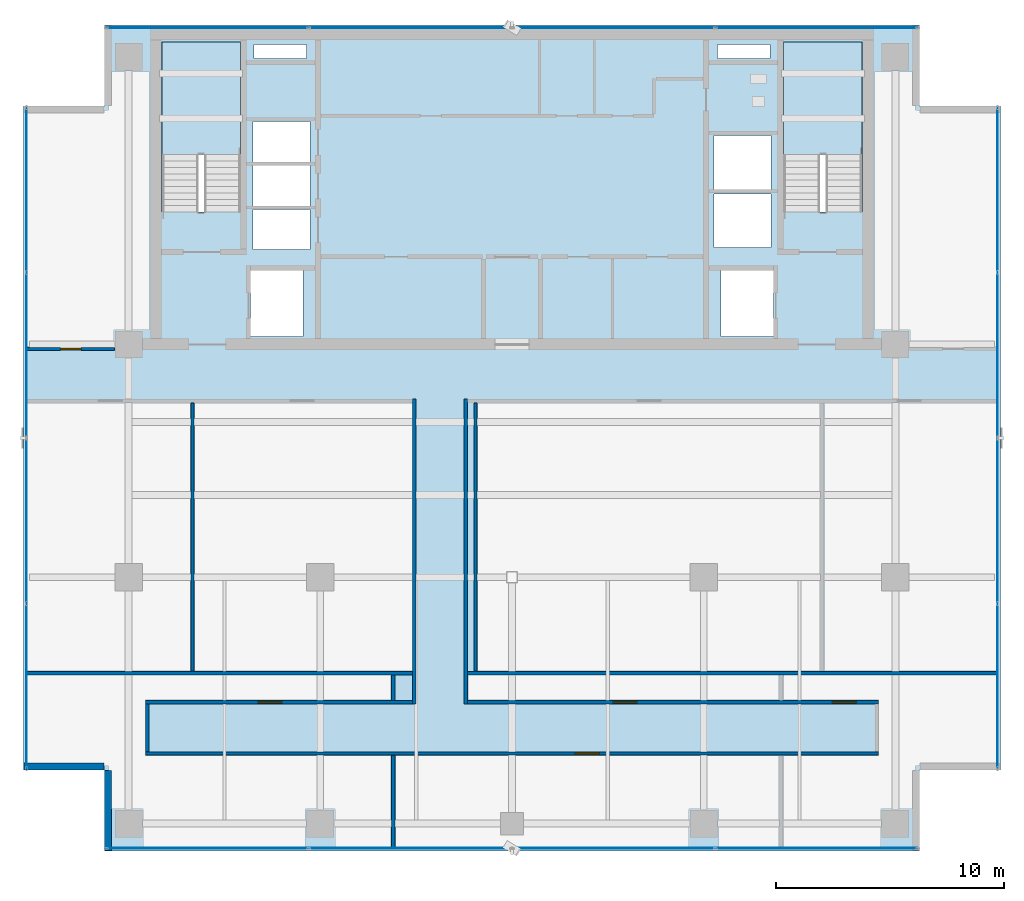
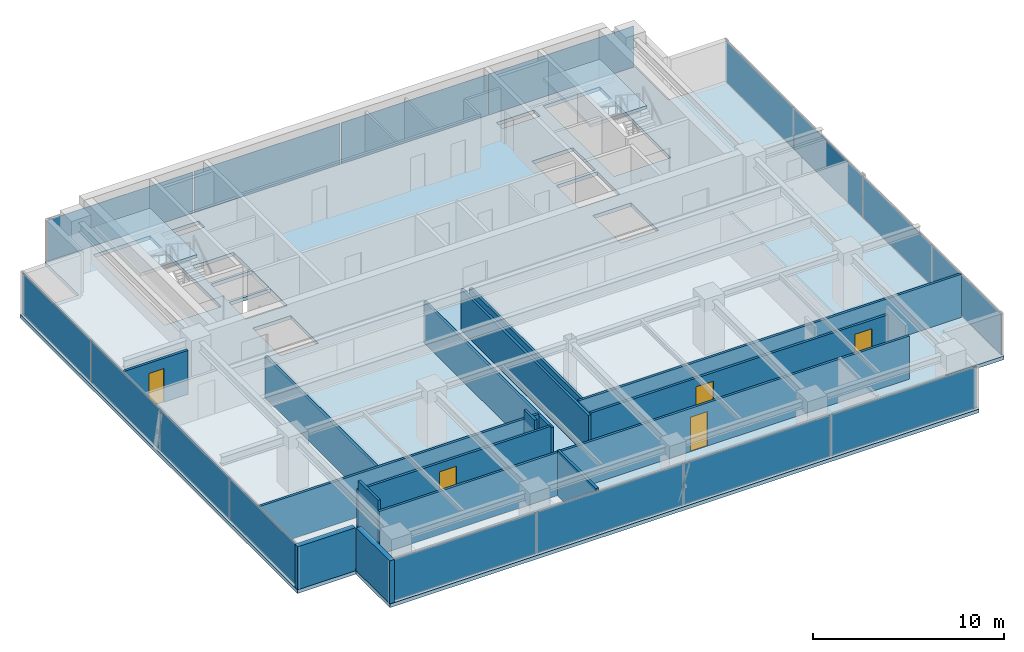
# One storey, part 14 of 20: 16 plates, 15 walls, 5 doors, 3 slabs, 5 openings, 6 elements without a shape of their own.
"""IFC4 building model written with IfcOpenShell, lengths in metres."""

from ifc_helpers import new_model, si_unit, direction, frame, frame_2d, origin, origin_2d, place, context, subcontext, project, spatial, polyline, rectangle, outline, extrude, source, transform, mapped, material, layer, layer_set, type_object, element, fill, aggregate, save


model = new_model("IFC4")

# Units and contexts
model_context = context("Model", 3, precision=1e-05, world=origin(), true_north=direction((0.0, 1.0)))
body_context = subcontext(model_context, "Body", "Model", "MODEL_VIEW")
ifc_project = project(units=[si_unit("LENGTHUNIT", "METRE"), si_unit("AREAUNIT", "SQUARE_METRE"), si_unit("VOLUMEUNIT", "CUBIC_METRE"), si_unit("PLANEANGLEUNIT", "RADIAN"), si_unit("MASSUNIT", "GRAM", prefix="KILO")], contexts=[model_context])

# Site, building, storey
site_placement = place(None, origin())
site = spatial("IfcSite", under=ifc_project, at=site_placement, CompositionType="ELEMENT")
building_placement = place(site_placement, origin())
building = spatial("IfcBuilding", under=site, at=building_placement, Name="Sumidabori Civic Tower", CompositionType="ELEMENT")
storey_placement = place(building_placement, frame((0.0, 0.0, 282.800048828125)))
storey = spatial("IfcBuildingStorey", under=building, at=storey_placement, Name="L74", CompositionType="ELEMENT", Elevation=282.800048828125)

# Stair, slab
ifc_material_1 = material(Name="Concrete C40/50", Category="concrete")
stair_type = type_object("IfcStairType", Name="ST-CORE-1600", PredefinedType="HALF_TURN_STAIR", material=ifc_material_1)
stair_1_placement = place(storey_placement, origin())
stair_1 = element("IfcStair", 1, at=stair_1_placement, inside=storey, type_object=stair_type, Name="L74 ST-1", PredefinedType="HALF_TURN_STAIR")
ifc_layer_1 = layer(ifc_material_1, 0.199951171875, Name="Concrete C40/50")
ifc_layer_set_1 = layer_set([ifc_layer_1], Name="Concrete C40/50")
slab_type_1 = type_object("IfcSlabType", Name="SL-LAND-200", PredefinedType="LANDING", material=ifc_layer_set_1)
slab_1_placement = place(storey_placement, frame((0.0, 0.0, 1.599853515625)))
slab_1 = element("IfcSlab", 2, at=slab_1_placement, type_object=slab_type_1, Name="ST-1 landing 1", PredefinedType="LANDING", context=body_context, shape_type="SweptSolid", body=[
    extrude(outline(polyline([(-11.89990234375, 18.52001953125), (-11.89990234375, 23.449951171875), (-15.340087890625, 23.449951171875), (-15.340087890625, 18.52001953125), (-11.89990234375, 18.52001953125)])), origin(), (0.0, 0.0, 1.0), 0.2001953125),
])
aggregate(stair_1, [slab_1])

stair_2_placement = place(storey_placement, origin())
stair_2 = element("IfcStair", 3, at=stair_2_placement, inside=storey, type_object=stair_type, Name="L74 ST-2", PredefinedType="HALF_TURN_STAIR")
slab_2_placement = place(storey_placement, frame((0.0, 0.0, 1.599853515625)))
slab_2 = element("IfcSlab", 4, at=slab_2_placement, type_object=slab_type_1, Name="ST-2 landing 1", PredefinedType="LANDING", context=body_context, shape_type="SweptSolid", body=[
    extrude(outline(polyline([(15.340087890625, 18.52001953125), (15.340087890625, 23.449951171875), (11.89990234375, 23.449951171875), (11.89990234375, 18.52001953125), (15.340087890625, 18.52001953125)])), origin(), (0.0, 0.0, 1.0), 0.2001953125),
])
aggregate(stair_2, [slab_2])

# Slab
ifc_layer_2 = layer(ifc_material_1, 0.22998046875, Name="Concrete C40/50")
ifc_layer_set_2 = layer_set([ifc_layer_2], Name="Concrete C40/50")
slab_type_2 = type_object("IfcSlabType", Name="SL-Z4-230", PredefinedType="FLOOR", material=ifc_layer_set_2)
slab_3_placement = place(storey_placement, frame((0.0, 0.0, -0.22998046875)))
element("IfcSlab", 5, at=slab_3_placement, inside=storey, type_object=slab_type_2, Name="Structural Slab L74", PredefinedType="FLOOR", context=body_context, shape_type="SweptSolid", body=[
    extrude(outline(polyline([(-17.85009765625, -12.0), (17.85009765625, -12.0), (17.85009765625, -8.449951171875), (21.39990234375, -8.449951171875), (21.39990234375, 20.64990234375), (17.85009765625, 20.64990234375), (17.85009765625, 24.199951171875), (-17.85009765625, 24.199951171875), (-17.85009765625, 20.64990234375), (-21.39990234375, 20.64990234375), (-21.39990234375, -8.449951171875), (-17.85009765625, -8.449951171875), (-17.85009765625, -12.0)]), holes=[polyline([(-11.89990234375, 16.0), (-11.89990234375, 23.449951171875), (-15.340087890625, 23.449951171875), (-15.340087890625, 16.0), (-11.89990234375, 16.0)]), polyline([(15.340087890625, 16.0), (15.340087890625, 23.449951171875), (11.89990234375, 23.449951171875), (11.89990234375, 16.0), (15.340087890625, 16.0)]), polyline([(-11.449951171875, 10.550048828125), (-9.14990234375, 10.550048828125), (-9.14990234375, 13.449951171875), (-11.449951171875, 13.449951171875), (-11.449951171875, 10.550048828125)]), polyline([(9.14990234375, 10.550048828125), (11.449951171875, 10.550048828125), (11.449951171875, 13.449951171875), (9.14990234375, 13.449951171875), (9.14990234375, 10.550048828125)]), polyline([(-11.35009765625, 14.35009765625), (-8.85009765625, 14.35009765625), (-8.85009765625, 16.1201171875), (-11.35009765625, 16.1201171875), (-11.35009765625, 14.35009765625)]), polyline([(-11.35009765625, 16.27001953125), (-8.85009765625, 16.27001953125), (-8.85009765625, 18.0400390625), (-11.35009765625, 18.0400390625), (-11.35009765625, 16.27001953125)]), polyline([(-11.35009765625, 18.18994140625), (-8.85009765625, 18.18994140625), (-8.85009765625, 19.9599609375), (-11.35009765625, 19.9599609375), (-11.35009765625, 18.18994140625)]), polyline([(8.85009765625, 14.449951171875), (11.35009765625, 14.449951171875), (11.35009765625, 16.800048828125), (8.85009765625, 16.800048828125), (8.85009765625, 14.449951171875)]), polyline([(8.85009765625, 17.0), (11.35009765625, 17.0), (11.35009765625, 19.35009765625), (8.85009765625, 19.35009765625), (8.85009765625, 17.0)]), polyline([(-11.300048828125, 22.719970703125), (-9.0, 22.719970703125), (-9.0, 23.35009765625), (-11.300048828125, 23.35009765625), (-11.300048828125, 22.719970703125)]), polyline([(9.0, 22.719970703125), (11.300048828125, 22.719970703125), (11.300048828125, 23.35009765625), (9.0, 23.35009765625), (9.0, 22.719970703125)])]), origin(), (0.0, 0.0, 1.0), 0.22998046875),
])

# Curtain wall, plates
ifc_material_2 = material(Name="Anodised Bronze Aluminium AW-6063-T6", Category="aluminium")
ifc_layer_3 = layer(ifc_material_2, 0.179931640625, Name="Anodised Bronze Aluminium AW-6063-T6")
ifc_layer_set_3 = layer_set([ifc_layer_3], Name="Anodised Bronze Aluminium AW-6063-T6")
curtain_wall_type = type_object("IfcCurtainWallType", Name="CW-SYS-6", PredefinedType="NOTDEFINED", material=ifc_layer_set_3)
curtain_wall_1_placement = place(storey_placement, origin())
curtain_wall_1 = element("IfcCurtainWall", 6, at=curtain_wall_1_placement, inside=storey, type_object=curtain_wall_type, Name="Curtain Wall CW:L74:R01", PredefinedType="NOTDEFINED")
ifc_material_3 = material(Name="Bronze-Tinted Laminated Crown Glazing", Category="glass")
ifc_layer_4 = layer(ifc_material_3, 0.033935546875, Name="Bronze-Tinted Laminated Crown Glazing")
ifc_layer_set_4 = layer_set([ifc_layer_4], Name="Bronze-Tinted Laminated Crown Glazing")
plate_type = type_object("IfcPlateType", Name="CW-PNL-CRN", PredefinedType="CURTAIN_PANEL", material=ifc_layer_set_4)
shared_shape_1 = source(origin(), body_context, "Body", "SweptSolid", [
    extrude(rectangle(XDim=8.804931640625, YDim=0.033935546875, at=origin_2d()), origin(), (0.0, 0.0, 1.0), 2.6201171875),
])
plate_1_placement = place(storey_placement, frame((-13.347412109375, -11.8798828125, 0.06494140625), z_axis=(0.0, 0.0, 1.0), x_axis=(1.0, 0.0, 0.0)))
plate_1 = element("IfcPlate", 7, at=plate_1_placement, type_object=plate_type, Name="CW-6 panel 1.1", PredefinedType="CURTAIN_PANEL", context=body_context, shape_type="MappedRepresentation", body=[
    mapped(shared_shape_1, transform((0.0, 0.0, 0.0), x_axis=(1.0, 0.0, 0.0), y_axis=(0.0, 1.0, 0.0), z_axis=(0.0, 0.0, 1.0), scale=1.0)),
])
plate_2_placement = place(storey_placement, frame((13.347412109375, -11.8798828125, 0.06494140625), z_axis=(0.0, 0.0, 1.0), x_axis=(1.0, 0.0, 0.0)))
plate_2 = element("IfcPlate", 8, at=plate_2_placement, type_object=plate_type, Name="CW-6 panel 4.1", PredefinedType="CURTAIN_PANEL", context=body_context, shape_type="MappedRepresentation", body=[
    mapped(shared_shape_1, transform((0.0, 0.0, 0.0), x_axis=(1.0, 0.0, 0.0), y_axis=(0.0, 1.0, 0.0), z_axis=(0.0, 0.0, 1.0), scale=1.0)),
])

curtain_wall_2_placement = place(storey_placement, origin())
curtain_wall_2 = element("IfcCurtainWall", 9, at=curtain_wall_2_placement, inside=storey, type_object=curtain_wall_type, Name="Curtain Wall CW:L74:R07", PredefinedType="NOTDEFINED")
plate_3_placement = place(storey_placement, frame((13.347412109375, 24.080078125, 0.06494140625), z_axis=(0.0, 0.0, 1.0), x_axis=(-1.0, 0.0, 0.0)))
plate_3 = element("IfcPlate", 10, at=plate_3_placement, type_object=plate_type, Name="CW-6 panel 1.1", PredefinedType="CURTAIN_PANEL", context=body_context, shape_type="MappedRepresentation", body=[
    mapped(shared_shape_1, transform((0.0, 0.0, 0.0), x_axis=(1.0, 0.0, 0.0), y_axis=(0.0, 1.0, 0.0), z_axis=(0.0, 0.0, 1.0), scale=1.0)),
])
plate_4_placement = place(storey_placement, frame((-13.347412109375, 24.080078125, 0.06494140625), z_axis=(0.0, 0.0, 1.0), x_axis=(-1.0, 0.0, 0.0)))
plate_4 = element("IfcPlate", 11, at=plate_4_placement, type_object=plate_type, Name="CW-6 panel 4.1", PredefinedType="CURTAIN_PANEL", context=body_context, shape_type="MappedRepresentation", body=[
    mapped(shared_shape_1, transform((0.0, 0.0, 0.0), x_axis=(1.0, 0.0, 0.0), y_axis=(0.0, 1.0, 0.0), z_axis=(0.0, 0.0, 1.0), scale=1.0)),
])

# Plate
shared_shape_2 = source(origin(), body_context, "Body", "SweptSolid", [
    extrude(rectangle(XDim=8.840087890625, YDim=0.033935546875, at=origin_2d()), origin(), (0.0, 0.0, 1.0), 2.6201171875),
])
plate_5_placement = place(storey_placement, frame((-4.455078125, -11.8798828125, 0.06494140625), z_axis=(0.0, 0.0, 1.0), x_axis=(1.0, 0.0, 0.0)))
plate_5 = element("IfcPlate", 12, at=plate_5_placement, type_object=plate_type, Name="CW-6 panel 2.1", PredefinedType="CURTAIN_PANEL", context=body_context, shape_type="MappedRepresentation", body=[
    mapped(shared_shape_2, transform((0.0, 0.0, 0.0), x_axis=(1.0, 0.0, 0.0), y_axis=(0.0, 1.0, 0.0), z_axis=(0.0, 0.0, 1.0), scale=1.0)),
])

plate_6_placement = place(storey_placement, frame((4.455078125, -11.8798828125, 0.06494140625), z_axis=(0.0, 0.0, 1.0), x_axis=(1.0, 0.0, 0.0)))
plate_6 = element("IfcPlate", 13, at=plate_6_placement, type_object=plate_type, Name="CW-6 panel 3.1", PredefinedType="CURTAIN_PANEL", context=body_context, shape_type="MappedRepresentation", body=[
    mapped(shared_shape_2, transform((0.0, 0.0, 0.0), x_axis=(1.0, 0.0, 0.0), y_axis=(0.0, 1.0, 0.0), z_axis=(0.0, 0.0, 1.0), scale=1.0)),
])

aggregate(curtain_wall_1, [plate_1, plate_5, plate_6, plate_2])

plate_7_placement = place(storey_placement, frame((4.455078125, 24.080078125, 0.06494140625), z_axis=(0.0, 0.0, 1.0), x_axis=(-1.0, 0.0, 0.0)))
plate_7 = element("IfcPlate", 14, at=plate_7_placement, type_object=plate_type, Name="CW-6 panel 2.1", PredefinedType="CURTAIN_PANEL", context=body_context, shape_type="MappedRepresentation", body=[
    mapped(shared_shape_2, transform((0.0, 0.0, 0.0), x_axis=(1.0, 0.0, 0.0), y_axis=(0.0, 1.0, 0.0), z_axis=(0.0, 0.0, 1.0), scale=1.0)),
])

plate_8_placement = place(storey_placement, frame((-4.455078125, 24.080078125, 0.06494140625), z_axis=(0.0, 0.0, 1.0), x_axis=(-1.0, 0.0, 0.0)))
plate_8 = element("IfcPlate", 15, at=plate_8_placement, type_object=plate_type, Name="CW-6 panel 3.1", PredefinedType="CURTAIN_PANEL", context=body_context, shape_type="MappedRepresentation", body=[
    mapped(shared_shape_2, transform((0.0, 0.0, 0.0), x_axis=(1.0, 0.0, 0.0), y_axis=(0.0, 1.0, 0.0), z_axis=(0.0, 0.0, 1.0), scale=1.0)),
])

aggregate(curtain_wall_2, [plate_3, plate_7, plate_8, plate_4])

# Curtain wall, plates
curtain_wall_3_placement = place(storey_placement, origin())
curtain_wall_3 = element("IfcCurtainWall", 16, at=curtain_wall_3_placement, inside=storey, type_object=curtain_wall_type, Name="Curtain Wall CW:L74:R04", PredefinedType="NOTDEFINED")
shared_shape_3 = source(origin(), body_context, "Body", "SweptSolid", [
    extrude(rectangle(XDim=7.155029296875, YDim=0.033935546875, at=origin_2d()), origin(), (0.0, 0.0, 1.0), 2.6201171875),
])
plate_9_placement = place(storey_placement, frame((21.280029296875, -4.7724609375, 0.06494140625), z_axis=(0.0, 0.0, 1.0), x_axis=(0.0, 1.0, 0.0)))
plate_9 = element("IfcPlate", 17, at=plate_9_placement, type_object=plate_type, Name="CW-6 panel 1.1", PredefinedType="CURTAIN_PANEL", context=body_context, shape_type="MappedRepresentation", body=[
    mapped(shared_shape_3, transform((0.0, 0.0, 0.0), x_axis=(1.0, 0.0, 0.0), y_axis=(0.0, 1.0, 0.0), z_axis=(0.0, 0.0, 1.0), scale=1.0)),
])
plate_10_placement = place(storey_placement, frame((21.280029296875, 16.972412109375, 0.06494140625), z_axis=(0.0, 0.0, 1.0), x_axis=(0.0, 1.0, 0.0)))
plate_10 = element("IfcPlate", 18, at=plate_10_placement, type_object=plate_type, Name="CW-6 panel 4.1", PredefinedType="CURTAIN_PANEL", context=body_context, shape_type="MappedRepresentation", body=[
    mapped(shared_shape_3, transform((0.0, 0.0, 0.0), x_axis=(1.0, 0.0, 0.0), y_axis=(0.0, 1.0, 0.0), z_axis=(0.0, 0.0, 1.0), scale=1.0)),
])

curtain_wall_4_placement = place(storey_placement, origin())
curtain_wall_4 = element("IfcCurtainWall", 19, at=curtain_wall_4_placement, inside=storey, type_object=curtain_wall_type, Name="Curtain Wall CW:L74:R10", PredefinedType="NOTDEFINED")
plate_11_placement = place(storey_placement, frame((-21.280029296875, 16.972412109375, 0.06494140625), z_axis=(0.0, 0.0, 1.0), x_axis=(0.0, -1.0, 0.0)))
plate_11 = element("IfcPlate", 20, at=plate_11_placement, type_object=plate_type, Name="CW-6 panel 1.1", PredefinedType="CURTAIN_PANEL", context=body_context, shape_type="MappedRepresentation", body=[
    mapped(shared_shape_3, transform((0.0, 0.0, 0.0), x_axis=(1.0, 0.0, 0.0), y_axis=(0.0, 1.0, 0.0), z_axis=(0.0, 0.0, 1.0), scale=1.0)),
])
plate_12_placement = place(storey_placement, frame((-21.280029296875, -4.7724609375, 0.06494140625), z_axis=(0.0, 0.0, 1.0), x_axis=(0.0, -1.0, 0.0)))
plate_12 = element("IfcPlate", 21, at=plate_12_placement, type_object=plate_type, Name="CW-6 panel 4.1", PredefinedType="CURTAIN_PANEL", context=body_context, shape_type="MappedRepresentation", body=[
    mapped(shared_shape_3, transform((0.0, 0.0, 0.0), x_axis=(1.0, 0.0, 0.0), y_axis=(0.0, 1.0, 0.0), z_axis=(0.0, 0.0, 1.0), scale=1.0)),
])

# Plate
shared_shape_4 = source(origin(), body_context, "Body", "SweptSolid", [
    extrude(rectangle(XDim=7.18994140625, YDim=0.033935546875, at=origin_2d()), origin(), (0.0, 0.0, 1.0), 2.6201171875),
])
plate_13_placement = place(storey_placement, frame((21.280029296875, 2.469970703125, 0.06494140625), z_axis=(0.0, 0.0, 1.0), x_axis=(0.0, 1.0, 0.0)))
plate_13 = element("IfcPlate", 22, at=plate_13_placement, type_object=plate_type, Name="CW-6 panel 2.1", PredefinedType="CURTAIN_PANEL", context=body_context, shape_type="MappedRepresentation", body=[
    mapped(shared_shape_4, transform((0.0, 0.0, 0.0), x_axis=(1.0, 0.0, 0.0), y_axis=(0.0, 1.0, 0.0), z_axis=(0.0, 0.0, 1.0), scale=1.0)),
])

plate_14_placement = place(storey_placement, frame((21.280029296875, 9.72998046875, 0.06494140625), z_axis=(0.0, 0.0, 1.0), x_axis=(0.0, 1.0, 0.0)))
plate_14 = element("IfcPlate", 23, at=plate_14_placement, type_object=plate_type, Name="CW-6 panel 3.1", PredefinedType="CURTAIN_PANEL", context=body_context, shape_type="MappedRepresentation", body=[
    mapped(shared_shape_4, transform((0.0, 0.0, 0.0), x_axis=(1.0, 0.0, 0.0), y_axis=(0.0, 1.0, 0.0), z_axis=(0.0, 0.0, 1.0), scale=1.0)),
])

aggregate(curtain_wall_3, [plate_9, plate_13, plate_14, plate_10])

plate_15_placement = place(storey_placement, frame((-21.280029296875, 9.72998046875, 0.06494140625), z_axis=(0.0, 0.0, 1.0), x_axis=(0.0, -1.0, 0.0)))
plate_15 = element("IfcPlate", 24, at=plate_15_placement, type_object=plate_type, Name="CW-6 panel 2.1", PredefinedType="CURTAIN_PANEL", context=body_context, shape_type="MappedRepresentation", body=[
    mapped(shared_shape_4, transform((0.0, 0.0, 0.0), x_axis=(1.0, 0.0, 0.0), y_axis=(0.0, 1.0, 0.0), z_axis=(0.0, 0.0, 1.0), scale=1.0)),
])

plate_16_placement = place(storey_placement, frame((-21.280029296875, 2.469970703125, 0.06494140625), z_axis=(0.0, 0.0, 1.0), x_axis=(0.0, -1.0, 0.0)))
plate_16 = element("IfcPlate", 25, at=plate_16_placement, type_object=plate_type, Name="CW-6 panel 3.1", PredefinedType="CURTAIN_PANEL", context=body_context, shape_type="MappedRepresentation", body=[
    mapped(shared_shape_4, transform((0.0, 0.0, 0.0), x_axis=(1.0, 0.0, 0.0), y_axis=(0.0, 1.0, 0.0), z_axis=(0.0, 0.0, 1.0), scale=1.0)),
])

aggregate(curtain_wall_4, [plate_11, plate_15, plate_16, plate_12])

# Walls
ifc_material_4 = material(Name="Precast concrete C40/50", Category="concrete")
ifc_layer_5 = layer(ifc_material_4, 0.300048828125, Name="Precast concrete C40/50")
ifc_layer_set_5 = layer_set([ifc_layer_5], Name="Precast concrete C40/50")
wall_type_1 = type_object("IfcWallType", Name="WL-EXT-POD300", PredefinedType="STANDARD", material=ifc_layer_set_5)
shared_shape_5 = source(origin(), body_context, "Body", "SweptSolid", [
    extrude(rectangle(XDim=3.510009765625, YDim=0.300048828125, at=frame_2d((1.7548828125, 0.0))), origin(), (0.0, 0.0, 1.0), 2.75),
])
wall_1_placement = place(storey_placement, frame((-17.699951171875, -8.469970703125, 0.0), z_axis=(0.0, 0.0, 1.0), x_axis=(0.0, -1.0, 0.0)))
element("IfcWall", 26, at=wall_1_placement, inside=storey, type_object=wall_type_1, Name="Notched Corner Spandrel Band L74-12", PredefinedType="STANDARD", context=body_context, shape_type="MappedRepresentation", body=[
    mapped(shared_shape_5, transform((0.0, 0.0, 0.0), x_axis=(1.0, 0.0, 0.0), y_axis=(0.0, 1.0, 0.0), z_axis=(0.0, 0.0, 1.0), scale=1.0)),
])
shared_shape_6 = source(origin(), body_context, "Body", "SweptSolid", [
    extrude(rectangle(XDim=3.509765625, YDim=0.300048828125, at=frame_2d((1.7548828125, 0.0))), origin(), (0.0, 0.0, 1.0), 2.75),
])
wall_2_placement = place(storey_placement, frame((-21.3798828125, -8.300048828125, 0.0), z_axis=(0.0, 0.0, 1.0), x_axis=(1.0, 0.0, 0.0)))
element("IfcWall", 27, at=wall_2_placement, inside=storey, type_object=wall_type_1, Name="Notched Corner Spandrel Band L74-11", PredefinedType="STANDARD", context=body_context, shape_type="MappedRepresentation", body=[
    mapped(shared_shape_6, transform((0.0, 0.0, 0.0), x_axis=(1.0, 0.0, 0.0), y_axis=(0.0, 1.0, 0.0), z_axis=(0.0, 0.0, 1.0), scale=1.0)),
])

# Wall, opening, door
ifc_material_5 = material(Name="Gypsum Plasterboard Acoustic Partition")
ifc_layer_6 = layer(ifc_material_5, 0.14990234375, Name="Gypsum Plasterboard Acoustic Partition")
ifc_layer_set_6 = layer_set([ifc_layer_6], Name="Gypsum Plasterboard Acoustic Partition")
wall_type_2 = type_object("IfcWallType", Name="WL-PART-150", PredefinedType="PARTITIONING", material=ifc_layer_set_6)
shared_shape_7 = source(origin(), body_context, "Body", "SweptSolid", [
    extrude(rectangle(XDim=3.840087890625, YDim=0.14990234375, at=frame_2d((1.919921875, 0.0))), origin(), (0.0, 0.0, 1.0), 2.804931640625),
])
wall_3_placement = place(storey_placement, frame((-21.25, 10.0, 0.0), z_axis=(0.0, 0.0, 1.0), x_axis=(1.0, 0.0, 0.0)))
wall_3 = element("IfcWall", 28, at=wall_3_placement, inside=storey, type_object=wall_type_2, Name="Interior Partition WL:L74:FLK-NW", PredefinedType="PARTITIONING", context=body_context, shape_type="MappedRepresentation", body=[
    mapped(shared_shape_7, transform((0.0, 0.0, 0.0), x_axis=(1.0, 0.0, 0.0), y_axis=(0.0, 1.0, 0.0), z_axis=(0.0, 0.0, 1.0), scale=1.0)),
])
opening_1_placement = place(wall_3_placement, frame((1.469970703125, 0.0, 0.0)))
opening_1 = element("IfcOpeningElement", 29, at=opening_1_placement, cuts=wall_3, Name="Opening DR-1", PredefinedType="OPENING", context=body_context, shape_type="SweptSolid", body=[
    extrude(rectangle(XDim=0.89990234375, YDim=2.14990234375, at=frame_2d((0.449951171875, 1.074951171875))), frame((0.0, 0.0869140625, 0.0), z_axis=(0.0, -1.0, 0.0), x_axis=(1.0, 0.0, 0.0)), (0.0, 0.0, 1.0), 0.173828125),
])
ifc_material_6 = material(Name="Japanese Hinoki Timber", Category="wood")
door_type_1 = type_object("IfcDoorType", Name="DR-INT-900", OperationType="NOTDEFINED", PredefinedType="DOOR", material=ifc_material_6)
shared_shape_8 = source(origin(), body_context, "Body", "SweptSolid", [
    extrude(rectangle(XDim=0.89990234375, YDim=2.14990234375, at=frame_2d((0.449951171875, 1.074951171875))), frame((0.0, 0.02490234375, 0.0), z_axis=(0.0, -1.0, 0.0), x_axis=(1.0, 0.0, 0.0)), (0.0, 0.0, 1.0), 0.050048828125),
])
door_1_placement = place(opening_1_placement, origin())
door_1 = element("IfcDoor", 30, at=door_1_placement, inside=storey, type_object=door_type_1, Name="Door DR:L74:FLK-NW", OperationType="SINGLE_SWING_LEFT", OverallHeight=2.14990234375, OverallWidth=0.89990234375, PredefinedType="DOOR", context=body_context, shape_type="MappedRepresentation", body=[
    mapped(shared_shape_8, transform((0.0, 0.0, 0.0), x_axis=(1.0, 0.0, 0.0), y_axis=(0.0, 1.0, 0.0), z_axis=(0.0, 0.0, 1.0), scale=1.0)),
])
fill(opening_1, door_1)

# Walls
shared_shape_9 = source(origin(), body_context, "Body", "SweptSolid", [
    extrude(rectangle(XDim=13.35009765625, YDim=0.14990234375, at=frame_2d((6.675048828125, 0.0))), origin(), (0.0, 0.0, 1.0), 2.655029296875),
])
for number, where, z_axis, x_axis, name in (
    (31, (-4.27490234375, -5.550048828125, 0.0), (0.0, 0.0, 1.0), (0.0, 1.0, 0.0), "Interior Partition WL:L74:CORR-VC-W"),
    (32, (-2.02490234375, -5.550048828125, 0.0), (0.0, 0.0, 1.0), (0.0, 1.0, 0.0), "Interior Partition WL:L74:CORR-VC-E"),
):
    element("IfcWall", number, at=place(storey_placement, frame(where, z_axis=z_axis, x_axis=x_axis)), inside=storey, type_object=wall_type_2, Name=name, PredefinedType="PARTITIONING", context=body_context, shape_type="MappedRepresentation", body=[
        mapped(shared_shape_9, transform((0.0, 0.0, 0.0), x_axis=(1.0, 0.0, 0.0), y_axis=(0.0, 1.0, 0.0), z_axis=(0.0, 0.0, 1.0), scale=1.0)),
    ])
shared_shape_10 = source(origin(), body_context, "Body", "SweptSolid", [
    extrude(rectangle(XDim=11.76513671875, YDim=0.14990234375, at=frame_2d((5.882568359375, 0.0))), origin(), (0.0, 0.0, 1.0), 2.655029296875),
])
for number, where, z_axis, x_axis, name in (
    (33, (-14.0, -4.1201171875, 0.0), (0.0, 0.0, 1.0), (0.0, 1.0, 0.0), "Interior Partition WL:L74:VX-N1"),
    (34, (-1.60009765625, -4.1201171875, 0.0), (0.0, 0.0, 1.0), (0.0, 1.0, 0.0), "Interior Partition WL:L74:VX-N2"),
):
    element("IfcWall", number, at=place(storey_placement, frame(where, z_axis=z_axis, x_axis=x_axis)), inside=storey, type_object=wall_type_2, Name=name, PredefinedType="PARTITIONING", context=body_context, shape_type="MappedRepresentation", body=[
        mapped(shared_shape_10, transform((0.0, 0.0, 0.0), x_axis=(1.0, 0.0, 0.0), y_axis=(0.0, 1.0, 0.0), z_axis=(0.0, 0.0, 1.0), scale=1.0)),
    ])
shared_shape_11 = source(origin(), body_context, "Body", "SweptSolid", [
    extrude(rectangle(XDim=4.045166015625, YDim=0.14990234375, at=frame_2d((2.0224609375, 0.0))), origin(), (0.0, 0.0, 1.0), 2.905029296875),
])
wall_4_placement = place(storey_placement, frame((-5.199951171875, -11.85009765625, 0.0), z_axis=(0.0, 0.0, 1.0), x_axis=(0.0, 1.0, 0.0)))
element("IfcWall", 35, at=wall_4_placement, inside=storey, type_object=wall_type_2, Name="Interior Partition WL:L74:VX-S1-1", PredefinedType="PARTITIONING", context=body_context, shape_type="MappedRepresentation", body=[
    mapped(shared_shape_11, transform((0.0, 0.0, 0.0), x_axis=(1.0, 0.0, 0.0), y_axis=(0.0, 1.0, 0.0), z_axis=(0.0, 0.0, 1.0), scale=1.0)),
])

# Wall, opening, door
shared_shape_12 = source(origin(), body_context, "Body", "SweptSolid", [
    extrude(rectangle(XDim=11.699951171875, YDim=0.14990234375, at=frame_2d((5.85009765625, 0.0))), origin(), (0.0, 0.0, 1.0), 2.7548828125),
])
wall_5_placement = place(storey_placement, frame((-16.050048828125, -5.47509765625, 0.0), z_axis=(0.0, 0.0, 1.0), x_axis=(1.0, 0.0, 0.0)))
wall_5 = element("IfcWall", 36, at=wall_5_placement, inside=storey, type_object=wall_type_2, Name="Interior Partition WL:L74:CORR-MNW", PredefinedType="PARTITIONING", context=body_context, shape_type="MappedRepresentation", body=[
    mapped(shared_shape_12, transform((0.0, 0.0, 0.0), x_axis=(1.0, 0.0, 0.0), y_axis=(0.0, 1.0, 0.0), z_axis=(0.0, 0.0, 1.0), scale=1.0)),
])
opening_2_placement = place(wall_5_placement, frame((4.927490234375, 0.0, 0.0)))
opening_2 = element("IfcOpeningElement", 37, at=opening_2_placement, cuts=wall_5, Name="Opening DR-4", PredefinedType="OPENING", context=body_context, shape_type="SweptSolid", body=[
    extrude(rectangle(XDim=1.0400390625, YDim=2.199951171875, at=frame_2d((0.52001953125, 1.10009765625))), frame((0.0, 0.0869140625, 0.0), z_axis=(0.0, -1.0, 0.0), x_axis=(1.0, 0.0, 0.0)), (0.0, 0.0, 1.0), 0.173828125),
])
door_type_2 = type_object("IfcDoorType", Name="DR-INT-1040", OperationType="NOTDEFINED", PredefinedType="DOOR", material=ifc_material_6)
shared_shape_13 = source(origin(), body_context, "Body", "SweptSolid", [
    extrude(rectangle(XDim=1.0400390625, YDim=2.199951171875, at=frame_2d((0.52001953125, 1.10009765625))), frame((0.0, 0.02490234375, 0.0), z_axis=(0.0, -1.0, 0.0), x_axis=(1.0, 0.0, 0.0)), (0.0, 0.0, 1.0), 0.050048828125),
])
door_2_placement = place(opening_2_placement, origin())
door_2 = element("IfcDoor", 38, at=door_2_placement, inside=storey, type_object=door_type_2, Name="Door DR:L74:D09", OperationType="SINGLE_SWING_LEFT", OverallHeight=2.199951171875, OverallWidth=1.0400390625, PredefinedType="DOOR", context=body_context, shape_type="MappedRepresentation", body=[
    mapped(shared_shape_13, transform((0.0, 0.0, 0.0), x_axis=(1.0, 0.0, 0.0), y_axis=(0.0, 1.0, 0.0), z_axis=(0.0, 0.0, 1.0), scale=1.0)),
])
fill(opening_2, door_2)

# Wall, openings, doors
shared_shape_14 = source(origin(), body_context, "Body", "SweptSolid", [
    extrude(rectangle(XDim=18.0, YDim=0.14990234375, at=frame_2d((9.0, 0.0))), origin(), (0.0, 0.0, 1.0), 2.7548828125),
])
wall_6_placement = place(storey_placement, frame((-1.949951171875, -5.47509765625, 0.0), z_axis=(0.0, 0.0, 1.0), x_axis=(1.0, 0.0, 0.0)))
wall_6 = element("IfcWall", 39, at=wall_6_placement, inside=storey, type_object=wall_type_2, Name="Interior Partition WL:L74:CORR-MNE", PredefinedType="PARTITIONING", context=body_context, shape_type="MappedRepresentation", body=[
    mapped(shared_shape_14, transform((0.0, 0.0, 0.0), x_axis=(1.0, 0.0, 0.0), y_axis=(0.0, 1.0, 0.0), z_axis=(0.0, 0.0, 1.0), scale=1.0)),
])
opening_3_placement = place(wall_6_placement, frame((6.37744140625, 0.0, 0.0)))
opening_3 = element("IfcOpeningElement", 40, at=opening_3_placement, cuts=wall_6, Name="Opening DR-4", PredefinedType="OPENING", context=body_context, shape_type="SweptSolid", body=[
    extrude(rectangle(XDim=1.0400390625, YDim=2.199951171875, at=frame_2d((0.52001953125, 1.10009765625))), frame((0.0, 0.0869140625, 0.0), z_axis=(0.0, -1.0, 0.0), x_axis=(1.0, 0.0, 0.0)), (0.0, 0.0, 1.0), 0.173828125),
])
opening_4_placement = place(wall_6_placement, frame((15.992431640625, 0.0, 0.0)))
opening_4 = element("IfcOpeningElement", 41, at=opening_4_placement, cuts=wall_6, Name="Opening DR-4", PredefinedType="OPENING", context=body_context, shape_type="SweptSolid", body=[
    extrude(rectangle(XDim=1.0400390625, YDim=2.199951171875, at=frame_2d((0.52001953125, 1.10009765625))), frame((0.0, 0.0869140625, 0.0), z_axis=(0.0, -1.0, 0.0), x_axis=(1.0, 0.0, 0.0)), (0.0, 0.0, 1.0), 0.173828125),
])
door_3_placement = place(opening_3_placement, origin())
door_3 = element("IfcDoor", 42, at=door_3_placement, inside=storey, type_object=door_type_2, Name="Door DR:L74:D07", OperationType="SINGLE_SWING_LEFT", OverallHeight=2.199951171875, OverallWidth=1.0400390625, PredefinedType="DOOR", context=body_context, shape_type="MappedRepresentation", body=[
    mapped(shared_shape_13, transform((0.0, 0.0, 0.0), x_axis=(1.0, 0.0, 0.0), y_axis=(0.0, 1.0, 0.0), z_axis=(0.0, 0.0, 1.0), scale=1.0)),
])
fill(opening_3, door_3)
door_4_placement = place(opening_4_placement, origin())
door_4 = element("IfcDoor", 43, at=door_4_placement, inside=storey, type_object=door_type_2, Name="Door DR:L74:D08", OperationType="SINGLE_SWING_RIGHT", OverallHeight=2.199951171875, OverallWidth=1.0400390625, PredefinedType="DOOR", context=body_context, shape_type="MappedRepresentation", body=[
    mapped(shared_shape_13, transform((0.0, 0.0, 0.0), x_axis=(1.0, 0.0, 0.0), y_axis=(0.0, 1.0, 0.0), z_axis=(0.0, 0.0, 1.0), scale=1.0)),
])
fill(opening_4, door_4)

# Wall, opening, door
shared_shape_15 = source(origin(), body_context, "Body", "SweptSolid", [
    extrude(rectangle(XDim=32.10009765625, YDim=0.14990234375, at=frame_2d((16.050048828125, 0.0))), origin(), (0.0, 0.0, 1.0), 2.7548828125),
])
wall_7_placement = place(storey_placement, frame((-16.050048828125, -7.72509765625, 0.0), z_axis=(0.0, 0.0, 1.0), x_axis=(1.0, 0.0, 0.0)))
wall_7 = element("IfcWall", 44, at=wall_7_placement, inside=storey, type_object=wall_type_2, Name="Interior Partition WL:L74:CORR-SS", PredefinedType="PARTITIONING", context=body_context, shape_type="MappedRepresentation", body=[
    mapped(shared_shape_15, transform((0.0, 0.0, 0.0), x_axis=(1.0, 0.0, 0.0), y_axis=(0.0, 1.0, 0.0), z_axis=(0.0, 0.0, 1.0), scale=1.0)),
])
opening_5_placement = place(wall_7_placement, frame((18.830078125, 0.0, 0.0)))
opening_5 = element("IfcOpeningElement", 45, at=opening_5_placement, cuts=wall_7, Name="Opening DR-4", PredefinedType="OPENING", context=body_context, shape_type="SweptSolid", body=[
    extrude(rectangle(XDim=1.0400390625, YDim=2.199951171875, at=frame_2d((0.52001953125, 1.10009765625))), frame((0.0, 0.0869140625, 0.0), z_axis=(0.0, -1.0, 0.0), x_axis=(1.0, 0.0, 0.0)), (0.0, 0.0, 1.0), 0.173828125),
])
door_5_placement = place(opening_5_placement, origin())
door_5 = element("IfcDoor", 46, at=door_5_placement, inside=storey, type_object=door_type_2, Name="Door DR:L74:D10", OperationType="SINGLE_SWING_RIGHT", OverallHeight=2.199951171875, OverallWidth=1.0400390625, PredefinedType="DOOR", context=body_context, shape_type="MappedRepresentation", body=[
    mapped(shared_shape_13, transform((0.0, 0.0, 0.0), x_axis=(1.0, 0.0, 0.0), y_axis=(0.0, 1.0, 0.0), z_axis=(0.0, 0.0, 1.0), scale=1.0)),
])
fill(opening_5, door_5)

# Walls
shared_shape_16 = source(origin(), body_context, "Body", "SweptSolid", [
    extrude(rectangle(XDim=2.090087890625, YDim=0.14990234375, at=frame_2d((1.044921875, 0.0))), origin(), (0.0, 0.0, 1.0), 3.369873046875),
])
wall_8_placement = place(storey_placement, frame((-15.97509765625, -7.64501953125, 0.0), z_axis=(0.0, 0.0, 1.0), x_axis=(0.0, 1.0, 0.0)))
element("IfcWall", 47, at=wall_8_placement, inside=storey, type_object=wall_type_2, Name="Interior Partition WL:L74:CORR-VSW", PredefinedType="PARTITIONING", context=body_context, shape_type="MappedRepresentation", body=[
    mapped(shared_shape_16, transform((0.0, 0.0, 0.0), x_axis=(1.0, 0.0, 0.0), y_axis=(0.0, 1.0, 0.0), z_axis=(0.0, 0.0, 1.0), scale=1.0)),
])
shared_shape_17 = source(origin(), body_context, "Body", "SweptSolid", [
    extrude(rectangle(XDim=16.89501953125, YDim=0.14990234375, at=frame_2d((8.447509765625, 0.0))), origin(), (0.0, 0.0, 1.0), 2.7548828125),
])
wall_9_placement = place(storey_placement, frame((-21.25, -4.199951171875, 0.0), z_axis=(0.0, 0.0, 1.0), x_axis=(1.0, 0.0, 0.0)))
element("IfcWall", 48, at=wall_9_placement, inside=storey, type_object=wall_type_2, Name="Interior Partition WL:L74:BAND-Y-1", PredefinedType="PARTITIONING", context=body_context, shape_type="MappedRepresentation", body=[
    mapped(shared_shape_17, transform((0.0, 0.0, 0.0), x_axis=(1.0, 0.0, 0.0), y_axis=(0.0, 1.0, 0.0), z_axis=(0.0, 0.0, 1.0), scale=1.0)),
])
shared_shape_18 = source(origin(), body_context, "Body", "SweptSolid", [
    extrude(rectangle(XDim=23.195068359375, YDim=0.14990234375, at=frame_2d((11.59765625, 0.0))), origin(), (0.0, 0.0, 1.0), 2.7548828125),
])
wall_10_placement = place(storey_placement, frame((-1.945068359375, -4.199951171875, 0.0), z_axis=(0.0, 0.0, 1.0), x_axis=(1.0, 0.0, 0.0)))
element("IfcWall", 49, at=wall_10_placement, inside=storey, type_object=wall_type_2, Name="Interior Partition WL:L74:BAND-Y-2", PredefinedType="PARTITIONING", context=body_context, shape_type="MappedRepresentation", body=[
    mapped(shared_shape_18, transform((0.0, 0.0, 0.0), x_axis=(1.0, 0.0, 0.0), y_axis=(0.0, 1.0, 0.0), z_axis=(0.0, 0.0, 1.0), scale=1.0)),
])
shared_shape_19 = source(origin(), body_context, "Body", "SweptSolid", [
    extrude(rectangle(XDim=1.114990234375, YDim=0.14990234375, at=frame_2d((0.5576171875, 0.0))), origin(), (0.0, 0.0, 1.0), 3.369873046875),
])
wall_11_placement = place(storey_placement, frame((-5.199951171875, -5.39501953125, 0.0), z_axis=(0.0, 0.0, 1.0), x_axis=(0.0, 1.0, 0.0)))
element("IfcWall", 50, at=wall_11_placement, inside=storey, type_object=wall_type_2, Name="Interior Partition WL:L74:VX-S1-2", PredefinedType="PARTITIONING", context=body_context, shape_type="MappedRepresentation", body=[
    mapped(shared_shape_19, transform((0.0, 0.0, 0.0), x_axis=(1.0, 0.0, 0.0), y_axis=(0.0, 1.0, 0.0), z_axis=(0.0, 0.0, 1.0), scale=1.0)),
])

save(model, "model.ifc")
